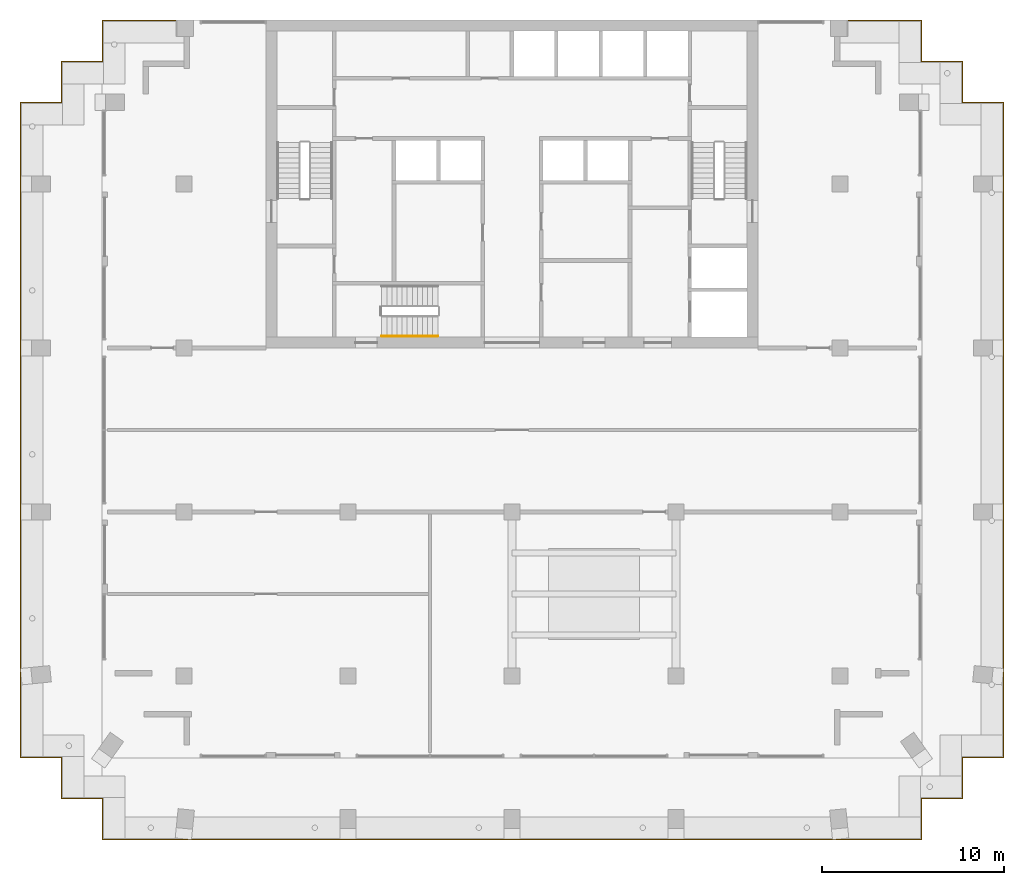
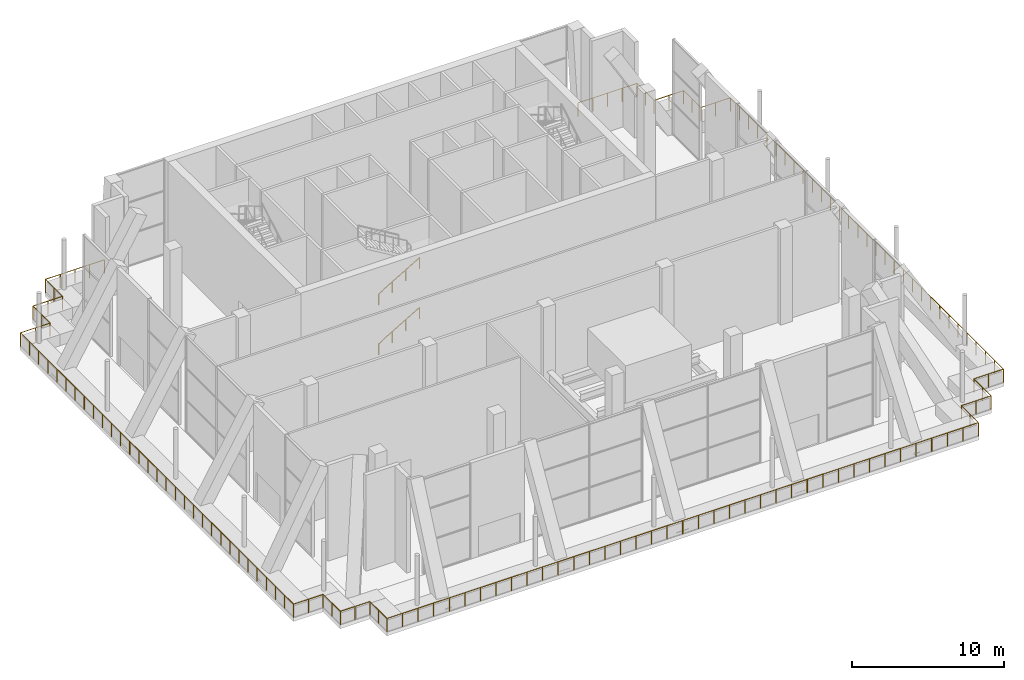
# One storey, part 10 of 12: 3 railings.
"""IFC4 building model written with IfcOpenShell, lengths in metres."""

from ifc_helpers import new_model, si_unit, direction, frame, origin, origin_2d, place, context, subcontext, project, spatial, polyline, rectangle, circle, outline, extrude, material, type_object, element, save


model = new_model("IFC4")

# Units and contexts
model_context = context("Model", 3, precision=1e-05, world=origin(), true_north=direction((0.0, 1.0)))
body_context = subcontext(model_context, "Body", "Model", "MODEL_VIEW")
ifc_project = project(units=[si_unit("LENGTHUNIT", "METRE"), si_unit("AREAUNIT", "SQUARE_METRE"), si_unit("VOLUMEUNIT", "CUBIC_METRE"), si_unit("PLANEANGLEUNIT", "RADIAN"), si_unit("MASSUNIT", "GRAM", prefix="KILO")], contexts=[model_context])

# Site, building, storey
site_placement = place(None, origin())
site = spatial("IfcSite", under=ifc_project, at=site_placement, CompositionType="ELEMENT")
building_placement = place(site_placement, origin())
building = spatial("IfcBuilding", under=site, at=building_placement, Name="Orbiselva Terraces", CompositionType="ELEMENT")
storey_placement = place(building_placement, frame((0.0, 0.0, 289.4)))
storey = spatial("IfcBuildingStorey", under=building, at=storey_placement, Name="L73", CompositionType="ELEMENT", Elevation=289.4)

# Railings
ifc_material_1 = material(Name="Stainless steel", Category="steel")
railing_type_1 = type_object("IfcRailingType", Name="CORE-HANDRAIL-900", PredefinedType="HANDRAIL", material=ifc_material_1)
for number, where, name in (
    (1, (-7.15, 5.15, 0.166667), "L73 S3 stair handrail 1"),
    (2, (-7.15, 5.15, 4.166667), "L73 S3 stair handrail 3"),
):
    element("IfcRailing", number, at=place(storey_placement, frame(where)), inside=storey, type_object=railing_type_1, Name=name, PredefinedType="HANDRAIL", context=body_context, shape_type="SweptSolid", body=[
        extrude(circle(Radius=0.024, at=origin_2d()), frame((0.0, 0.0, 0.876), z_axis=(0.859292925283, 0.0, 0.5114837911), x_axis=(0.0, 1.0, 0.0)), (0.0, 0.0, 1.0), 3.584342),
        extrude(circle(Radius=0.021, at=origin_2d()), origin(), (0.0, 0.0, 1.0), 0.852),
        extrude(circle(Radius=0.021, at=origin_2d()), frame((1.026667, 0.0, 0.611111)), (0.0, 0.0, 1.0), 0.852),
        extrude(circle(Radius=0.021, at=origin_2d()), frame((2.053333, 0.0, 1.222222)), (0.0, 0.0, 1.0), 0.852),
        extrude(circle(Radius=0.021, at=origin_2d()), frame((3.08, 0.0, 1.833333)), (0.0, 0.0, 1.0), 0.852),
    ])
ifc_material_2 = material(Name="Stainless steel rail and posts", Category="steel")
railing_type_2 = type_object("IfcRailingType", Name="ENV-TERRACE-GUARD-1105", PredefinedType="BALUSTRADE", material=ifc_material_2)
railing_placement = place(storey_placement, frame((-18.0, 22.475, 0.0)))
element("IfcRailing", 3, at=railing_placement, inside=storey, type_object=railing_type_2, Name="Guard L73 ring", PredefinedType="BALUSTRADE", context=body_context, shape_type="SweptSolid", body=[
    extrude(outline(polyline([(0.028868, 0.0), (0.014434, 0.025), (-0.014434, 0.025), (-0.028868, 0.0), (-0.014434, -0.025), (0.014434, -0.025), (0.028868, 0.0)])), frame((0.0, 0.0, 1.08), z_axis=(-1.0, 0.0, 0.0), x_axis=(0.0, -1.0, 0.0)), (0.0, 0.0, 1.0), 4.475),
    extrude(outline(polyline([(0.028868, 0.0), (0.014434, 0.025), (-0.014434, 0.025), (-0.028868, 0.0), (-0.014434, -0.025), (0.014434, -0.025), (0.028868, 0.0)])), frame((-4.475, 0.0, 1.08), z_axis=(0.0, -1.0, 0.0), x_axis=(1.0, 0.0, 0.0)), (0.0, 0.0, 1.0), 2.25),
    extrude(outline(polyline([(0.028868, 0.0), (0.014434, 0.025), (-0.014434, 0.025), (-0.028868, 0.0), (-0.014434, -0.025), (0.014434, -0.025), (0.028868, 0.0)])), frame((-4.475, -2.25, 1.08), z_axis=(-1.0, 0.0, 0.0), x_axis=(0.0, -1.0, 0.0)), (0.0, 0.0, 1.0), 2.25),
    extrude(outline(polyline([(0.028868, 0.0), (0.014434, 0.025), (-0.014434, 0.025), (-0.028868, 0.0), (-0.014434, -0.025), (0.014434, -0.025), (0.028868, 0.0)])), frame((-6.725, -2.25, 1.08), z_axis=(0.0, -1.0, 0.0), x_axis=(1.0, 0.0, 0.0)), (0.0, 0.0, 1.0), 2.25),
    extrude(outline(polyline([(0.028868, 0.0), (0.014434, 0.025), (-0.014434, 0.025), (-0.028868, 0.0), (-0.014434, -0.025), (0.014434, -0.025), (0.028868, 0.0)])), frame((-6.725, -4.5, 1.08), z_axis=(-1.0, 0.0, 0.0), x_axis=(0.0, -1.0, 0.0)), (0.0, 0.0, 1.0), 2.25),
    extrude(outline(polyline([(0.028868, 0.0), (0.014434, 0.025), (-0.014434, 0.025), (-0.028868, 0.0), (-0.014434, -0.025), (0.014434, -0.025), (0.028868, 0.0)])), frame((-8.975, -4.5, 1.08), z_axis=(0.0, -1.0, 0.0), x_axis=(1.0, 0.0, 0.0)), (0.0, 0.0, 1.0), 35.95),
    extrude(outline(polyline([(0.028868, 0.0), (0.014434, 0.025), (-0.014434, 0.025), (-0.028868, 0.0), (-0.014434, -0.025), (0.014434, -0.025), (0.028868, 0.0)])), frame((-8.975, -40.45, 1.08), z_axis=(1.0, 0.0, 0.0), x_axis=(0.0, 1.0, 0.0)), (0.0, 0.0, 1.0), 2.25),
    extrude(outline(polyline([(0.028868, 0.0), (0.014434, 0.025), (-0.014434, 0.025), (-0.028868, 0.0), (-0.014434, -0.025), (0.014434, -0.025), (0.028868, 0.0)])), frame((-6.725, -40.45, 1.08), z_axis=(0.0, -1.0, 0.0), x_axis=(1.0, 0.0, 0.0)), (0.0, 0.0, 1.0), 2.25),
    extrude(outline(polyline([(0.028868, 0.0), (0.014434, 0.025), (-0.014434, 0.025), (-0.028868, 0.0), (-0.014434, -0.025), (0.014434, -0.025), (0.028868, 0.0)])), frame((-6.725, -42.7, 1.08), z_axis=(1.0, 0.0, 0.0), x_axis=(0.0, 1.0, 0.0)), (0.0, 0.0, 1.0), 2.25),
    extrude(outline(polyline([(0.028868, 0.0), (0.014434, 0.025), (-0.014434, 0.025), (-0.028868, 0.0), (-0.014434, -0.025), (0.014434, -0.025), (0.028868, 0.0)])), frame((-4.475, -42.7, 1.08), z_axis=(0.0, -1.0, 0.0), x_axis=(1.0, 0.0, 0.0)), (0.0, 0.0, 1.0), 2.25),
    extrude(outline(polyline([(0.028868, 0.0), (0.014434, 0.025), (-0.014434, 0.025), (-0.028868, 0.0), (-0.014434, -0.025), (0.014434, -0.025), (0.028868, 0.0)])), frame((-4.475, -44.95, 1.08), z_axis=(1.0, 0.0, 0.0), x_axis=(0.0, 1.0, 0.0)), (0.0, 0.0, 1.0), 44.95),
    extrude(outline(polyline([(0.028868, 0.0), (0.014434, 0.025), (-0.014434, 0.025), (-0.028868, 0.0), (-0.014434, -0.025), (0.014434, -0.025), (0.028868, 0.0)])), frame((40.475, -44.95, 1.08), z_axis=(0.0, 1.0, 0.0), x_axis=(-1.0, 0.0, 0.0)), (0.0, 0.0, 1.0), 2.25),
    extrude(outline(polyline([(0.028868, 0.0), (0.014434, 0.025), (-0.014434, 0.025), (-0.028868, 0.0), (-0.014434, -0.025), (0.014434, -0.025), (0.028868, 0.0)])), frame((40.475, -42.7, 1.08), z_axis=(1.0, 0.0, 0.0), x_axis=(0.0, 1.0, 0.0)), (0.0, 0.0, 1.0), 2.25),
    extrude(outline(polyline([(0.028868, 0.0), (0.014434, 0.025), (-0.014434, 0.025), (-0.028868, 0.0), (-0.014434, -0.025), (0.014434, -0.025), (0.028868, 0.0)])), frame((42.725, -42.7, 1.08), z_axis=(0.0, 1.0, 0.0), x_axis=(-1.0, 0.0, 0.0)), (0.0, 0.0, 1.0), 2.25),
    extrude(outline(polyline([(0.028868, 0.0), (0.014434, 0.025), (-0.014434, 0.025), (-0.028868, 0.0), (-0.014434, -0.025), (0.014434, -0.025), (0.028868, 0.0)])), frame((42.725, -40.45, 1.08), z_axis=(1.0, 0.0, 0.0), x_axis=(0.0, 1.0, 0.0)), (0.0, 0.0, 1.0), 2.25),
    extrude(outline(polyline([(0.028868, 0.0), (0.014434, 0.025), (-0.014434, 0.025), (-0.028868, 0.0), (-0.014434, -0.025), (0.014434, -0.025), (0.028868, 0.0)])), frame((44.975, -40.45, 1.08), z_axis=(0.0, 1.0, 0.0), x_axis=(-1.0, 0.0, 0.0)), (0.0, 0.0, 1.0), 35.95),
    extrude(outline(polyline([(0.028868, 0.0), (0.014434, 0.025), (-0.014434, 0.025), (-0.028868, 0.0), (-0.014434, -0.025), (0.014434, -0.025), (0.028868, 0.0)])), frame((44.975, -4.5, 1.08), z_axis=(-1.0, 0.0, 0.0), x_axis=(0.0, -1.0, 0.0)), (0.0, 0.0, 1.0), 2.25),
    extrude(outline(polyline([(0.028868, 0.0), (0.014434, 0.025), (-0.014434, 0.025), (-0.028868, 0.0), (-0.014434, -0.025), (0.014434, -0.025), (0.028868, 0.0)])), frame((42.725, -4.5, 1.08), z_axis=(0.0, 1.0, 0.0), x_axis=(-1.0, 0.0, 0.0)), (0.0, 0.0, 1.0), 2.25),
    extrude(outline(polyline([(0.028868, 0.0), (0.014434, 0.025), (-0.014434, 0.025), (-0.028868, 0.0), (-0.014434, -0.025), (0.014434, -0.025), (0.028868, 0.0)])), frame((42.725, -2.25, 1.08), z_axis=(-1.0, 0.0, 0.0), x_axis=(0.0, -1.0, 0.0)), (0.0, 0.0, 1.0), 2.25),
    extrude(outline(polyline([(0.028868, 0.0), (0.014434, 0.025), (-0.014434, 0.025), (-0.028868, 0.0), (-0.014434, -0.025), (0.014434, -0.025), (0.028868, 0.0)])), frame((40.475, -2.25, 1.08), z_axis=(0.0, 1.0, 0.0), x_axis=(-1.0, 0.0, 0.0)), (0.0, 0.0, 1.0), 2.25),
    extrude(outline(polyline([(0.028868, 0.0), (0.014434, 0.025), (-0.014434, 0.025), (-0.028868, 0.0), (-0.014434, -0.025), (0.014434, -0.025), (0.028868, 0.0)])), frame((40.475, 0.0, 1.08), z_axis=(-1.0, 0.0, 0.0), x_axis=(0.0, -1.0, 0.0)), (0.0, 0.0, 1.0), 4.475),
    extrude(rectangle(XDim=0.05, YDim=0.05, at=origin_2d()), origin(), (0.0, 0.0, 1.0), 1.055),
    extrude(rectangle(XDim=0.05, YDim=0.05, at=origin_2d()), frame((-1.11875, 0.0, 0.0)), (0.0, 0.0, 1.0), 1.055),
    extrude(rectangle(XDim=0.05, YDim=0.05, at=origin_2d()), frame((-2.2375, 0.0, 0.0)), (0.0, 0.0, 1.0), 1.055),
    extrude(rectangle(XDim=0.05, YDim=0.05, at=origin_2d()), frame((-3.35625, 0.0, 0.0)), (0.0, 0.0, 1.0), 1.055),
    extrude(rectangle(XDim=0.05, YDim=0.05, at=origin_2d()), frame((-4.475, 0.0, 0.0)), (0.0, 0.0, 1.0), 1.055),
    extrude(rectangle(XDim=0.05, YDim=0.05, at=origin_2d()), frame((-4.475, -1.125, 0.0)), (0.0, 0.0, 1.0), 1.055),
    extrude(rectangle(XDim=0.05, YDim=0.05, at=origin_2d()), frame((-4.475, -2.25, 0.0)), (0.0, 0.0, 1.0), 1.055),
    extrude(rectangle(XDim=0.05, YDim=0.05, at=origin_2d()), frame((-5.6, -2.25, 0.0)), (0.0, 0.0, 1.0), 1.055),
    extrude(rectangle(XDim=0.05, YDim=0.05, at=origin_2d()), frame((-6.725, -2.25, 0.0)), (0.0, 0.0, 1.0), 1.055),
    extrude(rectangle(XDim=0.05, YDim=0.05, at=origin_2d()), frame((-6.725, -3.375, 0.0)), (0.0, 0.0, 1.0), 1.055),
    extrude(rectangle(XDim=0.05, YDim=0.05, at=origin_2d()), frame((-6.725, -4.5, 0.0)), (0.0, 0.0, 1.0), 1.055),
    extrude(rectangle(XDim=0.05, YDim=0.05, at=origin_2d()), frame((-7.85, -4.5, 0.0)), (0.0, 0.0, 1.0), 1.055),
    extrude(rectangle(XDim=0.05, YDim=0.05, at=origin_2d()), frame((-8.975, -4.5, 0.0)), (0.0, 0.0, 1.0), 1.055),
    extrude(rectangle(XDim=0.05, YDim=0.05, at=origin_2d()), frame((-8.975, -5.698333, 0.0)), (0.0, 0.0, 1.0), 1.055),
    extrude(rectangle(XDim=0.05, YDim=0.05, at=origin_2d()), frame((-8.975, -6.896667, 0.0)), (0.0, 0.0, 1.0), 1.055),
    extrude(rectangle(XDim=0.05, YDim=0.05, at=origin_2d()), frame((-8.975, -8.095, 0.0)), (0.0, 0.0, 1.0), 1.055),
    extrude(rectangle(XDim=0.05, YDim=0.05, at=origin_2d()), frame((-8.975, -9.293333, 0.0)), (0.0, 0.0, 1.0), 1.055),
    extrude(rectangle(XDim=0.05, YDim=0.05, at=origin_2d()), frame((-8.975, -10.491667, 0.0)), (0.0, 0.0, 1.0), 1.055),
    extrude(rectangle(XDim=0.05, YDim=0.05, at=origin_2d()), frame((-8.975, -11.69, 0.0)), (0.0, 0.0, 1.0), 1.055),
    extrude(rectangle(XDim=0.05, YDim=0.05, at=origin_2d()), frame((-8.975, -12.888333, 0.0)), (0.0, 0.0, 1.0), 1.055),
    extrude(rectangle(XDim=0.05, YDim=0.05, at=origin_2d()), frame((-8.975, -14.086667, 0.0)), (0.0, 0.0, 1.0), 1.055),
    extrude(rectangle(XDim=0.05, YDim=0.05, at=origin_2d()), frame((-8.975, -15.285, 0.0)), (0.0, 0.0, 1.0), 1.055),
    extrude(rectangle(XDim=0.05, YDim=0.05, at=origin_2d()), frame((-8.975, -16.483333, 0.0)), (0.0, 0.0, 1.0), 1.055),
    extrude(rectangle(XDim=0.05, YDim=0.05, at=origin_2d()), frame((-8.975, -17.681667, 0.0)), (0.0, 0.0, 1.0), 1.055),
    extrude(rectangle(XDim=0.05, YDim=0.05, at=origin_2d()), frame((-8.975, -18.88, 0.0)), (0.0, 0.0, 1.0), 1.055),
    extrude(rectangle(XDim=0.05, YDim=0.05, at=origin_2d()), frame((-8.975, -20.078333, 0.0)), (0.0, 0.0, 1.0), 1.055),
    extrude(rectangle(XDim=0.05, YDim=0.05, at=origin_2d()), frame((-8.975, -21.276667, 0.0)), (0.0, 0.0, 1.0), 1.055),
    extrude(rectangle(XDim=0.05, YDim=0.05, at=origin_2d()), frame((-8.975, -22.475, 0.0)), (0.0, 0.0, 1.0), 1.055),
    extrude(rectangle(XDim=0.05, YDim=0.05, at=origin_2d()), frame((-8.975, -23.673333, 0.0)), (0.0, 0.0, 1.0), 1.055),
    extrude(rectangle(XDim=0.05, YDim=0.05, at=origin_2d()), frame((-8.975, -24.871667, 0.0)), (0.0, 0.0, 1.0), 1.055),
    extrude(rectangle(XDim=0.05, YDim=0.05, at=origin_2d()), frame((-8.975, -26.07, 0.0)), (0.0, 0.0, 1.0), 1.055),
    extrude(rectangle(XDim=0.05, YDim=0.05, at=origin_2d()), frame((-8.975, -27.268333, 0.0)), (0.0, 0.0, 1.0), 1.055),
    extrude(rectangle(XDim=0.05, YDim=0.05, at=origin_2d()), frame((-8.975, -28.466667, 0.0)), (0.0, 0.0, 1.0), 1.055),
    extrude(rectangle(XDim=0.05, YDim=0.05, at=origin_2d()), frame((-8.975, -29.665, 0.0)), (0.0, 0.0, 1.0), 1.055),
    extrude(rectangle(XDim=0.05, YDim=0.05, at=origin_2d()), frame((-8.975, -30.863333, 0.0)), (0.0, 0.0, 1.0), 1.055),
    extrude(rectangle(XDim=0.05, YDim=0.05, at=origin_2d()), frame((-8.975, -32.061667, 0.0)), (0.0, 0.0, 1.0), 1.055),
    extrude(rectangle(XDim=0.05, YDim=0.05, at=origin_2d()), frame((-8.975, -33.26, 0.0)), (0.0, 0.0, 1.0), 1.055),
    extrude(rectangle(XDim=0.05, YDim=0.05, at=origin_2d()), frame((-8.975, -34.458333, 0.0)), (0.0, 0.0, 1.0), 1.055),
    extrude(rectangle(XDim=0.05, YDim=0.05, at=origin_2d()), frame((-8.975, -35.656667, 0.0)), (0.0, 0.0, 1.0), 1.055),
    extrude(rectangle(XDim=0.05, YDim=0.05, at=origin_2d()), frame((-8.975, -36.855, 0.0)), (0.0, 0.0, 1.0), 1.055),
    extrude(rectangle(XDim=0.05, YDim=0.05, at=origin_2d()), frame((-8.975, -38.053333, 0.0)), (0.0, 0.0, 1.0), 1.055),
    extrude(rectangle(XDim=0.05, YDim=0.05, at=origin_2d()), frame((-8.975, -39.251667, 0.0)), (0.0, 0.0, 1.0), 1.055),
    extrude(rectangle(XDim=0.05, YDim=0.05, at=origin_2d()), frame((-8.975, -40.45, 0.0)), (0.0, 0.0, 1.0), 1.055),
    extrude(rectangle(XDim=0.05, YDim=0.05, at=origin_2d()), frame((-7.85, -40.45, 0.0)), (0.0, 0.0, 1.0), 1.055),
    extrude(rectangle(XDim=0.05, YDim=0.05, at=origin_2d()), frame((-6.725, -40.45, 0.0)), (0.0, 0.0, 1.0), 1.055),
    extrude(rectangle(XDim=0.05, YDim=0.05, at=origin_2d()), frame((-6.725, -41.575, 0.0)), (0.0, 0.0, 1.0), 1.055),
    extrude(rectangle(XDim=0.05, YDim=0.05, at=origin_2d()), frame((-6.725, -42.7, 0.0)), (0.0, 0.0, 1.0), 1.055),
    extrude(rectangle(XDim=0.05, YDim=0.05, at=origin_2d()), frame((-5.6, -42.7, 0.0)), (0.0, 0.0, 1.0), 1.055),
    extrude(rectangle(XDim=0.05, YDim=0.05, at=origin_2d()), frame((-4.475, -42.7, 0.0)), (0.0, 0.0, 1.0), 1.055),
    extrude(rectangle(XDim=0.05, YDim=0.05, at=origin_2d()), frame((-4.475, -43.825, 0.0)), (0.0, 0.0, 1.0), 1.055),
    extrude(rectangle(XDim=0.05, YDim=0.05, at=origin_2d()), frame((-4.475, -44.95, 0.0)), (0.0, 0.0, 1.0), 1.055),
    extrude(rectangle(XDim=0.05, YDim=0.05, at=origin_2d()), frame((-3.292105, -44.95, 0.0)), (0.0, 0.0, 1.0), 1.055),
    extrude(rectangle(XDim=0.05, YDim=0.05, at=origin_2d()), frame((-2.109211, -44.95, 0.0)), (0.0, 0.0, 1.0), 1.055),
    extrude(rectangle(XDim=0.05, YDim=0.05, at=origin_2d()), frame((-0.926316, -44.95, 0.0)), (0.0, 0.0, 1.0), 1.055),
    extrude(rectangle(XDim=0.05, YDim=0.05, at=origin_2d()), frame((0.256579, -44.95, 0.0)), (0.0, 0.0, 1.0), 1.055),
    extrude(rectangle(XDim=0.05, YDim=0.05, at=origin_2d()), frame((1.439474, -44.95, 0.0)), (0.0, 0.0, 1.0), 1.055),
    extrude(rectangle(XDim=0.05, YDim=0.05, at=origin_2d()), frame((2.622368, -44.95, 0.0)), (0.0, 0.0, 1.0), 1.055),
    extrude(rectangle(XDim=0.05, YDim=0.05, at=origin_2d()), frame((3.805263, -44.95, 0.0)), (0.0, 0.0, 1.0), 1.055),
    extrude(rectangle(XDim=0.05, YDim=0.05, at=origin_2d()), frame((4.988158, -44.95, 0.0)), (0.0, 0.0, 1.0), 1.055),
    extrude(rectangle(XDim=0.05, YDim=0.05, at=origin_2d()), frame((6.171053, -44.95, 0.0)), (0.0, 0.0, 1.0), 1.055),
    extrude(rectangle(XDim=0.05, YDim=0.05, at=origin_2d()), frame((7.353947, -44.95, 0.0)), (0.0, 0.0, 1.0), 1.055),
    extrude(rectangle(XDim=0.05, YDim=0.05, at=origin_2d()), frame((8.536842, -44.95, 0.0)), (0.0, 0.0, 1.0), 1.055),
    extrude(rectangle(XDim=0.05, YDim=0.05, at=origin_2d()), frame((9.719737, -44.95, 0.0)), (0.0, 0.0, 1.0), 1.055),
    extrude(rectangle(XDim=0.05, YDim=0.05, at=origin_2d()), frame((10.902632, -44.95, 0.0)), (0.0, 0.0, 1.0), 1.055),
    extrude(rectangle(XDim=0.05, YDim=0.05, at=origin_2d()), frame((12.085526, -44.95, 0.0)), (0.0, 0.0, 1.0), 1.055),
    extrude(rectangle(XDim=0.05, YDim=0.05, at=origin_2d()), frame((13.268421, -44.95, 0.0)), (0.0, 0.0, 1.0), 1.055),
    extrude(rectangle(XDim=0.05, YDim=0.05, at=origin_2d()), frame((14.451316, -44.95, 0.0)), (0.0, 0.0, 1.0), 1.055),
    extrude(rectangle(XDim=0.05, YDim=0.05, at=origin_2d()), frame((15.634211, -44.95, 0.0)), (0.0, 0.0, 1.0), 1.055),
    extrude(rectangle(XDim=0.05, YDim=0.05, at=origin_2d()), frame((16.817105, -44.95, 0.0)), (0.0, 0.0, 1.0), 1.055),
    extrude(rectangle(XDim=0.05, YDim=0.05, at=origin_2d()), frame((18.0, -44.95, 0.0)), (0.0, 0.0, 1.0), 1.055),
    extrude(rectangle(XDim=0.05, YDim=0.05, at=origin_2d()), frame((19.182895, -44.95, 0.0)), (0.0, 0.0, 1.0), 1.055),
    extrude(rectangle(XDim=0.05, YDim=0.05, at=origin_2d()), frame((20.365789, -44.95, 0.0)), (0.0, 0.0, 1.0), 1.055),
    extrude(rectangle(XDim=0.05, YDim=0.05, at=origin_2d()), frame((21.548684, -44.95, 0.0)), (0.0, 0.0, 1.0), 1.055),
    extrude(rectangle(XDim=0.05, YDim=0.05, at=origin_2d()), frame((22.731579, -44.95, 0.0)), (0.0, 0.0, 1.0), 1.055),
    extrude(rectangle(XDim=0.05, YDim=0.05, at=origin_2d()), frame((23.914474, -44.95, 0.0)), (0.0, 0.0, 1.0), 1.055),
    extrude(rectangle(XDim=0.05, YDim=0.05, at=origin_2d()), frame((25.097368, -44.95, 0.0)), (0.0, 0.0, 1.0), 1.055),
    extrude(rectangle(XDim=0.05, YDim=0.05, at=origin_2d()), frame((26.280263, -44.95, 0.0)), (0.0, 0.0, 1.0), 1.055),
    extrude(rectangle(XDim=0.05, YDim=0.05, at=origin_2d()), frame((27.463158, -44.95, 0.0)), (0.0, 0.0, 1.0), 1.055),
    extrude(rectangle(XDim=0.05, YDim=0.05, at=origin_2d()), frame((28.646053, -44.95, 0.0)), (0.0, 0.0, 1.0), 1.055),
    extrude(rectangle(XDim=0.05, YDim=0.05, at=origin_2d()), frame((29.828947, -44.95, 0.0)), (0.0, 0.0, 1.0), 1.055),
    extrude(rectangle(XDim=0.05, YDim=0.05, at=origin_2d()), frame((31.011842, -44.95, 0.0)), (0.0, 0.0, 1.0), 1.055),
    extrude(rectangle(XDim=0.05, YDim=0.05, at=origin_2d()), frame((32.194737, -44.95, 0.0)), (0.0, 0.0, 1.0), 1.055),
    extrude(rectangle(XDim=0.05, YDim=0.05, at=origin_2d()), frame((33.377632, -44.95, 0.0)), (0.0, 0.0, 1.0), 1.055),
    extrude(rectangle(XDim=0.05, YDim=0.05, at=origin_2d()), frame((34.560526, -44.95, 0.0)), (0.0, 0.0, 1.0), 1.055),
    extrude(rectangle(XDim=0.05, YDim=0.05, at=origin_2d()), frame((35.743421, -44.95, 0.0)), (0.0, 0.0, 1.0), 1.055),
    extrude(rectangle(XDim=0.05, YDim=0.05, at=origin_2d()), frame((36.926316, -44.95, 0.0)), (0.0, 0.0, 1.0), 1.055),
    extrude(rectangle(XDim=0.05, YDim=0.05, at=origin_2d()), frame((38.109211, -44.95, 0.0)), (0.0, 0.0, 1.0), 1.055),
    extrude(rectangle(XDim=0.05, YDim=0.05, at=origin_2d()), frame((39.292105, -44.95, 0.0)), (0.0, 0.0, 1.0), 1.055),
    extrude(rectangle(XDim=0.05, YDim=0.05, at=origin_2d()), frame((40.475, -44.95, 0.0)), (0.0, 0.0, 1.0), 1.055),
    extrude(rectangle(XDim=0.05, YDim=0.05, at=origin_2d()), frame((40.475, -43.825, 0.0)), (0.0, 0.0, 1.0), 1.055),
    extrude(rectangle(XDim=0.05, YDim=0.05, at=origin_2d()), frame((40.475, -42.7, 0.0)), (0.0, 0.0, 1.0), 1.055),
    extrude(rectangle(XDim=0.05, YDim=0.05, at=origin_2d()), frame((41.6, -42.7, 0.0)), (0.0, 0.0, 1.0), 1.055),
    extrude(rectangle(XDim=0.05, YDim=0.05, at=origin_2d()), frame((42.725, -42.7, 0.0)), (0.0, 0.0, 1.0), 1.055),
    extrude(rectangle(XDim=0.05, YDim=0.05, at=origin_2d()), frame((42.725, -41.575, 0.0)), (0.0, 0.0, 1.0), 1.055),
    extrude(rectangle(XDim=0.05, YDim=0.05, at=origin_2d()), frame((42.725, -40.45, 0.0)), (0.0, 0.0, 1.0), 1.055),
    extrude(rectangle(XDim=0.05, YDim=0.05, at=origin_2d()), frame((43.85, -40.45, 0.0)), (0.0, 0.0, 1.0), 1.055),
    extrude(rectangle(XDim=0.05, YDim=0.05, at=origin_2d()), frame((44.975, -40.45, 0.0)), (0.0, 0.0, 1.0), 1.055),
    extrude(rectangle(XDim=0.05, YDim=0.05, at=origin_2d()), frame((44.975, -39.251667, 0.0)), (0.0, 0.0, 1.0), 1.055),
    extrude(rectangle(XDim=0.05, YDim=0.05, at=origin_2d()), frame((44.975, -38.053333, 0.0)), (0.0, 0.0, 1.0), 1.055),
    extrude(rectangle(XDim=0.05, YDim=0.05, at=origin_2d()), frame((44.975, -36.855, 0.0)), (0.0, 0.0, 1.0), 1.055),
    extrude(rectangle(XDim=0.05, YDim=0.05, at=origin_2d()), frame((44.975, -35.656667, 0.0)), (0.0, 0.0, 1.0), 1.055),
    extrude(rectangle(XDim=0.05, YDim=0.05, at=origin_2d()), frame((44.975, -34.458333, 0.0)), (0.0, 0.0, 1.0), 1.055),
    extrude(rectangle(XDim=0.05, YDim=0.05, at=origin_2d()), frame((44.975, -33.26, 0.0)), (0.0, 0.0, 1.0), 1.055),
    extrude(rectangle(XDim=0.05, YDim=0.05, at=origin_2d()), frame((44.975, -32.061667, 0.0)), (0.0, 0.0, 1.0), 1.055),
    extrude(rectangle(XDim=0.05, YDim=0.05, at=origin_2d()), frame((44.975, -30.863333, 0.0)), (0.0, 0.0, 1.0), 1.055),
    extrude(rectangle(XDim=0.05, YDim=0.05, at=origin_2d()), frame((44.975, -29.665, 0.0)), (0.0, 0.0, 1.0), 1.055),
    extrude(rectangle(XDim=0.05, YDim=0.05, at=origin_2d()), frame((44.975, -28.466667, 0.0)), (0.0, 0.0, 1.0), 1.055),
    extrude(rectangle(XDim=0.05, YDim=0.05, at=origin_2d()), frame((44.975, -27.268333, 0.0)), (0.0, 0.0, 1.0), 1.055),
    extrude(rectangle(XDim=0.05, YDim=0.05, at=origin_2d()), frame((44.975, -26.07, 0.0)), (0.0, 0.0, 1.0), 1.055),
    extrude(rectangle(XDim=0.05, YDim=0.05, at=origin_2d()), frame((44.975, -24.871667, 0.0)), (0.0, 0.0, 1.0), 1.055),
    extrude(rectangle(XDim=0.05, YDim=0.05, at=origin_2d()), frame((44.975, -23.673333, 0.0)), (0.0, 0.0, 1.0), 1.055),
    extrude(rectangle(XDim=0.05, YDim=0.05, at=origin_2d()), frame((44.975, -22.475, 0.0)), (0.0, 0.0, 1.0), 1.055),
    extrude(rectangle(XDim=0.05, YDim=0.05, at=origin_2d()), frame((44.975, -21.276667, 0.0)), (0.0, 0.0, 1.0), 1.055),
    extrude(rectangle(XDim=0.05, YDim=0.05, at=origin_2d()), frame((44.975, -20.078333, 0.0)), (0.0, 0.0, 1.0), 1.055),
    extrude(rectangle(XDim=0.05, YDim=0.05, at=origin_2d()), frame((44.975, -18.88, 0.0)), (0.0, 0.0, 1.0), 1.055),
    extrude(rectangle(XDim=0.05, YDim=0.05, at=origin_2d()), frame((44.975, -17.681667, 0.0)), (0.0, 0.0, 1.0), 1.055),
    extrude(rectangle(XDim=0.05, YDim=0.05, at=origin_2d()), frame((44.975, -16.483333, 0.0)), (0.0, 0.0, 1.0), 1.055),
    extrude(rectangle(XDim=0.05, YDim=0.05, at=origin_2d()), frame((44.975, -15.285, 0.0)), (0.0, 0.0, 1.0), 1.055),
    extrude(rectangle(XDim=0.05, YDim=0.05, at=origin_2d()), frame((44.975, -14.086667, 0.0)), (0.0, 0.0, 1.0), 1.055),
    extrude(rectangle(XDim=0.05, YDim=0.05, at=origin_2d()), frame((44.975, -12.888333, 0.0)), (0.0, 0.0, 1.0), 1.055),
    extrude(rectangle(XDim=0.05, YDim=0.05, at=origin_2d()), frame((44.975, -11.69, 0.0)), (0.0, 0.0, 1.0), 1.055),
    extrude(rectangle(XDim=0.05, YDim=0.05, at=origin_2d()), frame((44.975, -10.491667, 0.0)), (0.0, 0.0, 1.0), 1.055),
    extrude(rectangle(XDim=0.05, YDim=0.05, at=origin_2d()), frame((44.975, -9.293333, 0.0)), (0.0, 0.0, 1.0), 1.055),
    extrude(rectangle(XDim=0.05, YDim=0.05, at=origin_2d()), frame((44.975, -8.095, 0.0)), (0.0, 0.0, 1.0), 1.055),
    extrude(rectangle(XDim=0.05, YDim=0.05, at=origin_2d()), frame((44.975, -6.896667, 0.0)), (0.0, 0.0, 1.0), 1.055),
    extrude(rectangle(XDim=0.05, YDim=0.05, at=origin_2d()), frame((44.975, -5.698333, 0.0)), (0.0, 0.0, 1.0), 1.055),
    extrude(rectangle(XDim=0.05, YDim=0.05, at=origin_2d()), frame((44.975, -4.5, 0.0)), (0.0, 0.0, 1.0), 1.055),
    extrude(rectangle(XDim=0.05, YDim=0.05, at=origin_2d()), frame((43.85, -4.5, 0.0)), (0.0, 0.0, 1.0), 1.055),
    extrude(rectangle(XDim=0.05, YDim=0.05, at=origin_2d()), frame((42.725, -4.5, 0.0)), (0.0, 0.0, 1.0), 1.055),
    extrude(rectangle(XDim=0.05, YDim=0.05, at=origin_2d()), frame((42.725, -3.375, 0.0)), (0.0, 0.0, 1.0), 1.055),
    extrude(rectangle(XDim=0.05, YDim=0.05, at=origin_2d()), frame((42.725, -2.25, 0.0)), (0.0, 0.0, 1.0), 1.055),
    extrude(rectangle(XDim=0.05, YDim=0.05, at=origin_2d()), frame((41.6, -2.25, 0.0)), (0.0, 0.0, 1.0), 1.055),
    extrude(rectangle(XDim=0.05, YDim=0.05, at=origin_2d()), frame((40.475, -2.25, 0.0)), (0.0, 0.0, 1.0), 1.055),
    extrude(rectangle(XDim=0.05, YDim=0.05, at=origin_2d()), frame((40.475, -1.125, 0.0)), (0.0, 0.0, 1.0), 1.055),
    extrude(rectangle(XDim=0.05, YDim=0.05, at=origin_2d()), frame((40.475, 0.0, 0.0)), (0.0, 0.0, 1.0), 1.055),
    extrude(rectangle(XDim=0.05, YDim=0.05, at=origin_2d()), frame((39.35625, 0.0, 0.0)), (0.0, 0.0, 1.0), 1.055),
    extrude(rectangle(XDim=0.05, YDim=0.05, at=origin_2d()), frame((38.2375, 0.0, 0.0)), (0.0, 0.0, 1.0), 1.055),
    extrude(rectangle(XDim=0.05, YDim=0.05, at=origin_2d()), frame((37.11875, 0.0, 0.0)), (0.0, 0.0, 1.0), 1.055),
    extrude(rectangle(XDim=0.05, YDim=0.05, at=origin_2d()), frame((36.0, 0.0, 0.0)), (0.0, 0.0, 1.0), 1.055),
])

save(model, "model.ifc")
